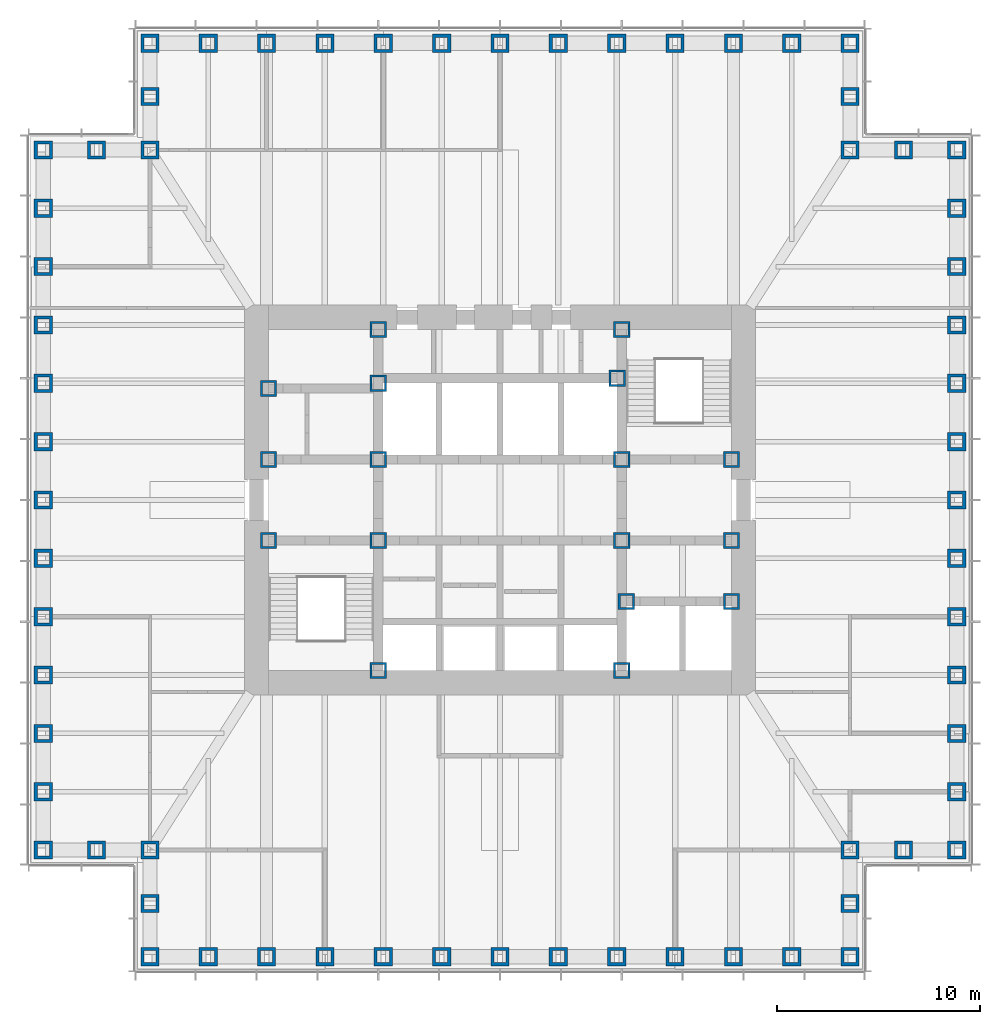
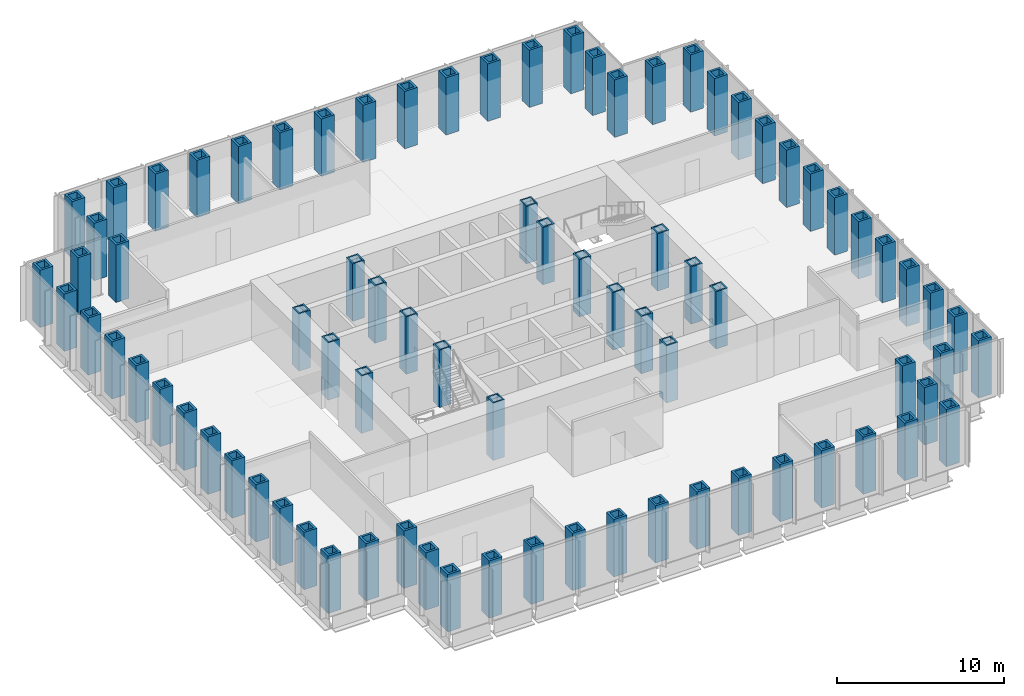
# One storey, part 1 of 16: 81 columns.
"""IFC4 building model written with IfcOpenShell, lengths in metres."""

from ifc_helpers import new_model, si_unit, direction, frame, origin, origin_2d, place, context, subcontext, project, spatial, hollow_rectangle, extrude, material, material_profile, profile_set, type_object, element, save


model = new_model("IFC4")

# Units and contexts
model_context = context("Model", 3, precision=1e-05, world=origin(), true_north=direction((0.0, 1.0)))
body_context = subcontext(model_context, "Body", "Model", "MODEL_VIEW")
ifc_project = project(units=[si_unit("LENGTHUNIT", "METRE"), si_unit("AREAUNIT", "SQUARE_METRE"), si_unit("VOLUMEUNIT", "CUBIC_METRE"), si_unit("PLANEANGLEUNIT", "RADIAN"), si_unit("MASSUNIT", "GRAM", prefix="KILO")], contexts=[model_context])

# Site, building, storey
site_placement = place(None, origin())
site = spatial("IfcSite", under=ifc_project, at=site_placement, CompositionType="ELEMENT")
building_placement = place(site_placement, origin())
building = spatial("IfcBuilding", under=site, at=building_placement, Name="Daluyong Arena Tower", CompositionType="ELEMENT")
storey_placement = place(building_placement, frame((0.0, 0.0, 137.5)))
storey = spatial("IfcBuildingStorey", under=building, at=storey_placement, Name="L30", CompositionType="ELEMENT", Elevation=137.5)

# Columns
ifc_material_1 = material(Name="Steel ASTM A572 Grade 50", Category="steel")
ifc_material_profile_1 = material_profile(ifc_material_1, hollow_rectangle(XDim=0.800048828125, YDim=0.800048828125, WallThickness=0.1, at=origin_2d()))
ifc_profile_set_1 = profile_set([ifc_material_profile_1], Name="Steel ASTM A572 Grade 50")
column_type_1 = type_object("IfcColumnType", Name="Core boundary column BX800X100", PredefinedType="COLUMN", material=ifc_profile_set_1)
for number, where, z_axis, x_axis, name in (
    (1, (44.60009765625, 78.0, 0.0), (0.0, 0.0, 1.0), (1.0, 0.0, 0.0), "core boundary column BC2"),
    (2, (44.60009765625, 82.0, 0.0), (0.0, 0.0, 1.0), (1.0, 0.0, 0.0), "core boundary column BC2"),
    (3, (44.60009765625, 85.5, 0.0), (0.0, 0.0, 1.0), (1.0, 0.0, 0.0), "core boundary column BC2"),
    (4, (50.0, 71.60009765625, 0.0), (0.0, 0.0, 1.0), (1.0, 0.0, 0.0), "core boundary column BC2"),
    (5, (50.0, 78.0, 0.0), (0.0, 0.0, 1.0), (1.0, 0.0, 0.0), "core boundary column BC2"),
    (6, (50.0, 82.0, 0.0), (0.0, 0.0, 1.0), (1.0, 0.0, 0.0), "core boundary column BC2"),
    (7, (50.0, 85.75, 0.0), (0.0, 0.0, 1.0), (1.0, 0.0, 0.0), "core boundary column BC2"),
    (8, (50.0, 88.39990234375, 0.0), (0.0, 0.0, 1.0), (1.0, 0.0, 0.0), "core boundary column BC2"),
    (9, (61.77490234375, 86.0, 0.0), (0.0, 0.0, 1.0), (1.0, 0.0, 0.0), "core boundary column BC2"),
    (10, (62.0, 71.60009765625, 0.0), (0.0, 0.0, 1.0), (1.0, 0.0, 0.0), "core boundary column BC2"),
    (11, (62.0, 78.0, 0.0), (0.0, 0.0, 1.0), (1.0, 0.0, 0.0), "core boundary column BC2"),
    (12, (62.0, 82.0, 0.0), (0.0, 0.0, 1.0), (1.0, 0.0, 0.0), "core boundary column BC2"),
    (13, (62.0, 88.39990234375, 0.0), (0.0, 0.0, 1.0), (1.0, 0.0, 0.0), "core boundary column BC2"),
    (14, (62.22509765625, 75.0, 0.0), (0.0, 0.0, 1.0), (1.0, 0.0, 0.0), "core boundary column BC2"),
    (15, (67.39990234375, 75.0, 0.0), (0.0, 0.0, 1.0), (1.0, 0.0, 0.0), "core boundary column BC2"),
    (16, (67.39990234375, 78.0, 0.0), (0.0, 0.0, 1.0), (1.0, 0.0, 0.0), "core boundary column BC2"),
    (17, (67.39990234375, 82.0, 0.0), (0.0, 0.0, 1.0), (1.0, 0.0, 0.0), "core boundary column BC2"),
):
    element("IfcColumn", number, at=place(storey_placement, frame(where, z_axis=z_axis, x_axis=x_axis)), inside=storey, type_object=column_type_1, Name=name, PredefinedType="COLUMN", context=body_context, shape_type="SweptSolid", body=[
        extrude(hollow_rectangle(XDim=0.800048828125, YDim=0.800048828125, WallThickness=0.1, at=origin_2d()), origin(), (0.0, 0.0, 1.0), 4.199951171875),
    ])
ifc_material_2 = material(Name="Steel ASTM A588 Grade 50", Category="steel")
ifc_material_profile_2 = material_profile(ifc_material_2, hollow_rectangle(XDim=0.89990234375, YDim=0.89990234375, WallThickness=0.15, at=origin_2d()))
ifc_profile_set_2 = profile_set([ifc_material_profile_2], Name="Steel ASTM A588 Grade 50")
column_type_2 = type_object("IfcColumnType", Name="Tube column BX900X150 BX900X150", PredefinedType="COLUMN", material=ifc_profile_set_2)
for number, where, z_axis, x_axis, name in (
    (18, (38.75, 57.5, 0.0), (0.0, 0.0, 1.0), (1.0, 0.0, 0.0), "tube column bx900x150 TC5"),
    (19, (41.625, 57.5, 0.0), (0.0, 0.0, 1.0), (1.0, 0.0, 0.0), "tube column bx900x150 TC5"),
    (20, (44.5, 57.5, 0.0), (0.0, 0.0, 1.0), (1.0, 0.0, 0.0), "tube column bx900x150 TC5"),
    (21, (47.375, 57.5, 0.0), (0.0, 0.0, 1.0), (1.0, 0.0, 0.0), "tube column bx900x150 TC5"),
    (22, (50.25, 57.5, 0.0), (0.0, 0.0, 1.0), (1.0, 0.0, 0.0), "tube column bx900x150 TC5"),
    (23, (53.125, 57.5, 0.0), (0.0, 0.0, 1.0), (1.0, 0.0, 0.0), "tube column bx900x150 TC5"),
    (24, (56.0, 57.5, 0.0), (0.0, 0.0, 1.0), (1.0, 0.0, 0.0), "tube column bx900x150 TC5"),
    (25, (58.875, 57.5, 0.0), (0.0, 0.0, 1.0), (1.0, 0.0, 0.0), "tube column bx900x150 TC5"),
    (26, (61.75, 57.5, 0.0), (0.0, 0.0, 1.0), (1.0, 0.0, 0.0), "tube column bx900x150 TC5"),
    (27, (64.625, 57.5, 0.0), (0.0, 0.0, 1.0), (1.0, 0.0, 0.0), "tube column bx900x150 TC5"),
    (28, (67.5, 57.5, 0.0), (0.0, 0.0, 1.0), (1.0, 0.0, 0.0), "tube column bx900x150 TC5"),
    (29, (70.375, 57.5, 0.0), (0.0, 0.0, 1.0), (1.0, 0.0, 0.0), "tube column bx900x150 TC5"),
    (30, (73.25, 57.5, 0.0), (0.0, 0.0, 1.0), (0.0, 1.0, 0.0), "tube column bx900x150 TC5"),
    (31, (73.25, 60.125, 0.0), (0.0, 0.0, 1.0), (0.0, 1.0, 0.0), "tube column bx900x150 TC5"),
    (32, (73.25, 62.75, 0.0), (0.0, 0.0, 1.0), (1.0, 0.0, 0.0), "tube column bx900x150 TC5"),
    (33, (75.875, 62.75, 0.0), (0.0, 0.0, 1.0), (1.0, 0.0, 0.0), "tube column bx900x150 TC5"),
    (34, (78.5, 62.75, 0.0), (0.0, 0.0, 1.0), (0.0, 1.0, 0.0), "tube column bx900x150 TC5"),
    (35, (78.5, 65.625, 0.0), (0.0, 0.0, 1.0), (0.0, 1.0, 0.0), "tube column bx900x150 TC5"),
    (36, (78.5, 68.5, 0.0), (0.0, 0.0, 1.0), (0.0, 1.0, 0.0), "tube column bx900x150 TC5"),
    (37, (78.5, 71.375, 0.0), (0.0, 0.0, 1.0), (0.0, 1.0, 0.0), "tube column bx900x150 TC5"),
    (38, (78.5, 74.25, 0.0), (0.0, 0.0, 1.0), (0.0, 1.0, 0.0), "tube column bx900x150 TC5"),
    (39, (78.5, 77.125, 0.0), (0.0, 0.0, 1.0), (0.0, 1.0, 0.0), "tube column bx900x150 TC5"),
    (40, (78.5, 80.0, 0.0), (0.0, 0.0, 1.0), (0.0, 1.0, 0.0), "tube column bx900x150 TC5"),
    (41, (78.5, 82.875, 0.0), (0.0, 0.0, 1.0), (0.0, 1.0, 0.0), "tube column bx900x150 TC5"),
    (42, (78.5, 85.75, 0.0), (0.0, 0.0, 1.0), (0.0, 1.0, 0.0), "tube column bx900x150 TC5"),
    (43, (78.5, 88.625, 0.0), (0.0, 0.0, 1.0), (0.0, 1.0, 0.0), "tube column bx900x150 TC5"),
    (44, (78.5, 91.5, 0.0), (0.0, 0.0, 1.0), (0.0, 1.0, 0.0), "tube column bx900x150 TC5"),
    (45, (78.5, 94.375, 0.0), (0.0, 0.0, 1.0), (0.0, 1.0, 0.0), "tube column bx900x150 TC5"),
    (46, (78.5, 97.25, 0.0), (0.0, 0.0, 1.0), (1.0, 0.0, 0.0), "tube column bx900x150 TC5"),
    (47, (75.875, 97.25, 0.0), (0.0, 0.0, 1.0), (1.0, 0.0, 0.0), "tube column bx900x150 TC5"),
    (48, (73.25, 97.25, 0.0), (0.0, 0.0, 1.0), (0.0, 1.0, 0.0), "tube column bx900x150 TC5"),
    (49, (73.25, 99.875, 0.0), (0.0, 0.0, 1.0), (0.0, 1.0, 0.0), "tube column bx900x150 TC5"),
    (50, (73.25, 102.5, 0.0), (0.0, 0.0, 1.0), (1.0, 0.0, 0.0), "tube column bx900x150 TC5"),
    (51, (70.375, 102.5, 0.0), (0.0, 0.0, 1.0), (1.0, 0.0, 0.0), "tube column bx900x150 TC5"),
    (52, (67.5, 102.5, 0.0), (0.0, 0.0, 1.0), (1.0, 0.0, 0.0), "tube column bx900x150 TC5"),
    (53, (64.625, 102.5, 0.0), (0.0, 0.0, 1.0), (1.0, 0.0, 0.0), "tube column bx900x150 TC5"),
    (54, (61.75, 102.5, 0.0), (0.0, 0.0, 1.0), (1.0, 0.0, 0.0), "tube column bx900x150 TC5"),
    (55, (58.875, 102.5, 0.0), (0.0, 0.0, 1.0), (1.0, 0.0, 0.0), "tube column bx900x150 TC5"),
    (56, (56.0, 102.5, 0.0), (0.0, 0.0, 1.0), (1.0, 0.0, 0.0), "tube column bx900x150 TC5"),
    (57, (53.125, 102.5, 0.0), (0.0, 0.0, 1.0), (1.0, 0.0, 0.0), "tube column bx900x150 TC5"),
    (58, (50.25, 102.5, 0.0), (0.0, 0.0, 1.0), (1.0, 0.0, 0.0), "tube column bx900x150 TC5"),
    (59, (47.375, 102.5, 0.0), (0.0, 0.0, 1.0), (1.0, 0.0, 0.0), "tube column bx900x150 TC5"),
    (60, (44.5, 102.5, 0.0), (0.0, 0.0, 1.0), (1.0, 0.0, 0.0), "tube column bx900x150 TC5"),
    (61, (41.625, 102.5, 0.0), (0.0, 0.0, 1.0), (1.0, 0.0, 0.0), "tube column bx900x150 TC5"),
    (62, (38.75, 102.5, 0.0), (0.0, 0.0, 1.0), (0.0, 1.0, 0.0), "tube column bx900x150 TC5"),
    (63, (38.75, 99.875, 0.0), (0.0, 0.0, 1.0), (0.0, 1.0, 0.0), "tube column bx900x150 TC5"),
    (64, (38.75, 97.25, 0.0), (0.0, 0.0, 1.0), (1.0, 0.0, 0.0), "tube column bx900x150 TC5"),
    (65, (36.125, 97.25, 0.0), (0.0, 0.0, 1.0), (1.0, 0.0, 0.0), "tube column bx900x150 TC5"),
    (66, (33.5, 97.25, 0.0), (0.0, 0.0, 1.0), (0.0, 1.0, 0.0), "tube column bx900x150 TC5"),
    (67, (33.5, 94.375, 0.0), (0.0, 0.0, 1.0), (0.0, 1.0, 0.0), "tube column bx900x150 TC5"),
    (68, (33.5, 91.5, 0.0), (0.0, 0.0, 1.0), (0.0, 1.0, 0.0), "tube column bx900x150 TC5"),
    (69, (33.5, 88.625, 0.0), (0.0, 0.0, 1.0), (0.0, 1.0, 0.0), "tube column bx900x150 TC5"),
    (70, (33.5, 85.75, 0.0), (0.0, 0.0, 1.0), (0.0, 1.0, 0.0), "tube column bx900x150 TC5"),
    (71, (33.5, 82.875, 0.0), (0.0, 0.0, 1.0), (0.0, 1.0, 0.0), "tube column bx900x150 TC5"),
    (72, (33.5, 80.0, 0.0), (0.0, 0.0, 1.0), (0.0, 1.0, 0.0), "tube column bx900x150 TC5"),
    (73, (33.5, 77.125, 0.0), (0.0, 0.0, 1.0), (0.0, 1.0, 0.0), "tube column bx900x150 TC5"),
    (74, (33.5, 74.25, 0.0), (0.0, 0.0, 1.0), (0.0, 1.0, 0.0), "tube column bx900x150 TC5"),
    (75, (33.5, 71.375, 0.0), (0.0, 0.0, 1.0), (0.0, 1.0, 0.0), "tube column bx900x150 TC5"),
    (76, (33.5, 68.5, 0.0), (0.0, 0.0, 1.0), (0.0, 1.0, 0.0), "tube column bx900x150 TC5"),
    (77, (33.5, 65.625, 0.0), (0.0, 0.0, 1.0), (0.0, 1.0, 0.0), "tube column bx900x150 TC5"),
    (78, (33.5, 62.75, 0.0), (0.0, 0.0, 1.0), (1.0, 0.0, 0.0), "tube column bx900x150 TC5"),
    (79, (36.125, 62.75, 0.0), (0.0, 0.0, 1.0), (1.0, 0.0, 0.0), "tube column bx900x150 TC5"),
    (80, (38.75, 62.75, 0.0), (0.0, 0.0, 1.0), (0.0, 1.0, 0.0), "tube column bx900x150 TC5"),
    (81, (38.75, 60.125, 0.0), (0.0, 0.0, 1.0), (0.0, 1.0, 0.0), "tube column bx900x150 TC5"),
):
    element("IfcColumn", number, at=place(storey_placement, frame(where, z_axis=z_axis, x_axis=x_axis)), inside=storey, type_object=column_type_2, Name=name, PredefinedType="COLUMN", context=body_context, shape_type="SweptSolid", body=[
        extrude(hollow_rectangle(XDim=0.89990234375, YDim=0.89990234375, WallThickness=0.15, at=origin_2d()), origin(), (0.0, 0.0, 1.0), 4.199951171875),
    ])

save(model, "model.ifc")
